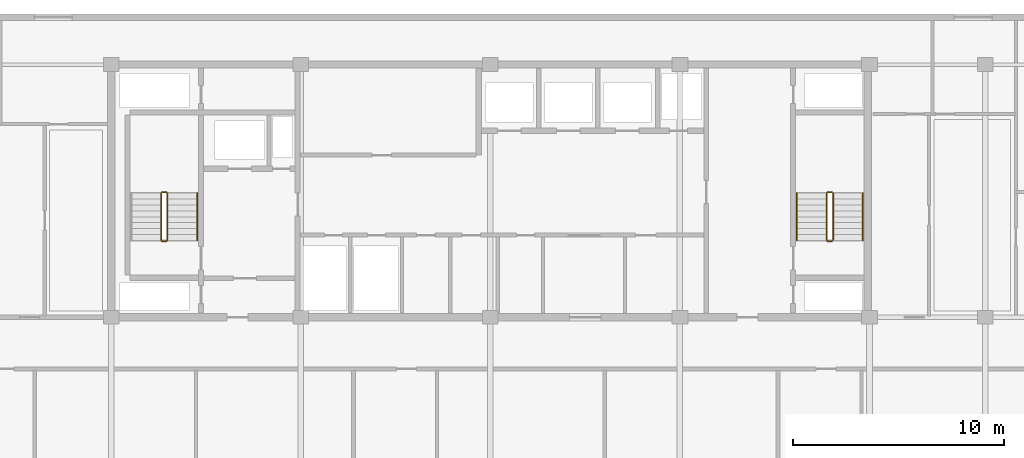
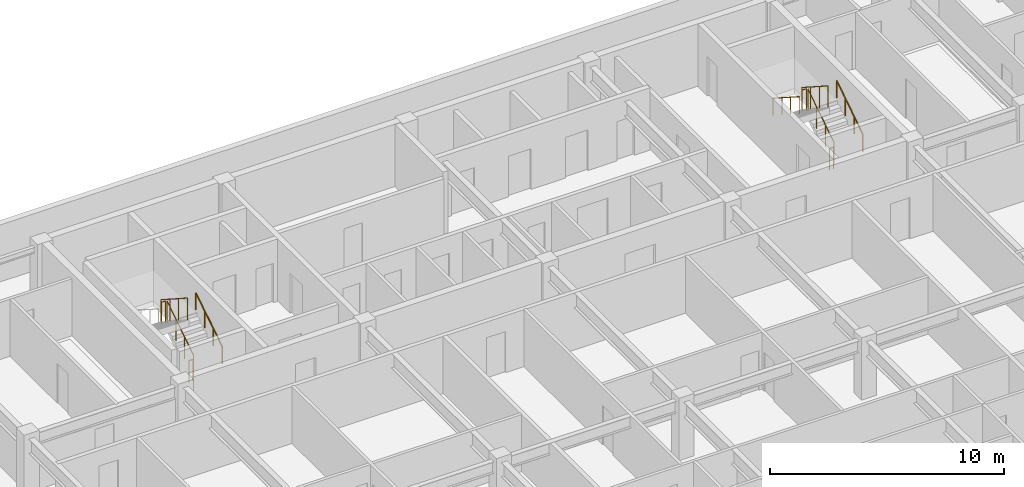
# One storey, part 20 of 24: 11 railings.
"""IFC4 building model written with IfcOpenShell, lengths in metres."""

from ifc_helpers import new_model, si_unit, direction, frame, origin, origin_2d, place, context, subcontext, project, spatial, circle, extrude, material, type_object, element, save


model = new_model("IFC4")

# Units and contexts
model_context = context("Model", 3, precision=1e-05, world=origin(), true_north=direction((0.0, 1.0)))
body_context = subcontext(model_context, "Body", "Model", "MODEL_VIEW")
ifc_project = project(units=[si_unit("LENGTHUNIT", "METRE"), si_unit("AREAUNIT", "SQUARE_METRE"), si_unit("VOLUMEUNIT", "CUBIC_METRE"), si_unit("PLANEANGLEUNIT", "RADIAN"), si_unit("MASSUNIT", "GRAM", prefix="KILO")], contexts=[model_context])

# Site, building, storey
site_placement = place(None, origin())
site = spatial("IfcSite", under=ifc_project, at=site_placement, CompositionType="ELEMENT")
building_placement = place(site_placement, origin())
building = spatial("IfcBuilding", under=site, at=building_placement, Name="Korimba Cascade Residences", CompositionType="ELEMENT")
storey_placement = place(building_placement, frame((0.0, 0.0, 168.60009765625)))
storey = spatial("IfcBuildingStorey", under=building, at=storey_placement, Name="L48", CompositionType="ELEMENT", Elevation=168.60009765625)

# Railings
ifc_material_1 = material(Name="Painted Steel Stairwell Guardrail", Category="steel")
railing_type_1 = type_object("IfcRailingType", Name="RLG-ST-GD1150", PredefinedType="GUARDRAIL", material=ifc_material_1)
railing_1_placement = place(storey_placement, frame((84.77001953125, 22.050048828125, 0.180419921875)))
element("IfcRailing", 1, at=railing_1_placement, inside=storey, type_object=railing_type_1, Name="L48 ST-E1 stair guard 1", PredefinedType="GUARDRAIL", context=body_context, shape_type="SweptSolid", body=[
    extrude(circle(Radius=0.02392578125, at=origin_2d()), frame((0.0, 0.0, 1.1259765625), z_axis=(0.0, 0.840394893359, 0.541974559565), x_axis=(-1.0, 0.0, 0.0)), (0.0, 0.0, 1.0), 2.665283203125),
    extrude(circle(Radius=0.02099609375, at=origin_2d()), origin(), (0.0, 0.0, 1.0), 1.101806640625),
    extrude(circle(Radius=0.02099609375, at=origin_2d()), frame((0.0, 0.74658203125, 0.4814453125)), (0.0, 0.0, 1.0), 1.101806640625),
    extrude(circle(Radius=0.02099609375, at=origin_2d()), frame((0.0, 1.493408203125, 0.963134765625)), (0.0, 0.0, 1.0), 1.101806640625),
    extrude(circle(Radius=0.02099609375, at=origin_2d()), frame((0.0, 2.239990234375, 1.444580078125)), (0.0, 0.0, 1.0), 1.101806640625),
])
railing_2_placement = place(storey_placement, frame((84.719970703125, 24.340087890625, 1.625)))
element("IfcRailing", 2, at=railing_2_placement, inside=storey, type_object=railing_type_1, Name="L48 ST-E1 stair guard 2", PredefinedType="GUARDRAIL", context=body_context, shape_type="SweptSolid", body=[
    extrude(circle(Radius=0.02392578125, at=origin_2d()), frame((0.0, 0.0, 1.1259765625), z_axis=(-1.0, 0.0, 0.0), x_axis=(0.0, -1.0, 0.0)), (0.0, 0.0, 1.0), 0.199951171875),
    extrude(circle(Radius=0.02099609375, at=origin_2d()), origin(), (0.0, 0.0, 1.0), 1.101806640625),
    extrude(circle(Radius=0.02099609375, at=origin_2d()), frame((-0.199951171875, 0.0, 0.0)), (0.0, 0.0, 1.0), 1.101806640625),
])
railing_3_placement = place(storey_placement, frame((84.469970703125, 24.2900390625, 1.805419921875)))
element("IfcRailing", 3, at=railing_3_placement, inside=storey, type_object=railing_type_1, Name="L48 ST-E1 stair guard 3", PredefinedType="GUARDRAIL", context=body_context, shape_type="SweptSolid", body=[
    extrude(circle(Radius=0.02392578125, at=origin_2d()), frame((0.0, 0.0, 1.1259765625), z_axis=(0.0, -0.840394893359, 0.541974559565), x_axis=(1.0, 0.0, 0.0)), (0.0, 0.0, 1.0), 2.665283203125),
    extrude(circle(Radius=0.02099609375, at=origin_2d()), origin(), (0.0, 0.0, 1.0), 1.101806640625),
    extrude(circle(Radius=0.02099609375, at=origin_2d()), frame((0.0, -0.74658203125, 0.4814453125)), (0.0, 0.0, 1.0), 1.101806640625),
    extrude(circle(Radius=0.02099609375, at=origin_2d()), frame((0.0, -1.493408203125, 0.963134765625)), (0.0, 0.0, 1.0), 1.101806640625),
    extrude(circle(Radius=0.02099609375, at=origin_2d()), frame((0.0, -2.239990234375, 1.444580078125)), (0.0, 0.0, 1.0), 1.101806640625),
])
railing_4_placement = place(storey_placement, frame((84.719970703125, 22.0, 0.0)))
element("IfcRailing", 4, at=railing_4_placement, inside=storey, type_object=railing_type_1, Name="L48 ST-E1 stair guard 4", PredefinedType="GUARDRAIL", context=body_context, shape_type="SweptSolid", body=[
    extrude(circle(Radius=0.02392578125, at=origin_2d()), frame((0.0, 0.0, 1.1259765625), z_axis=(-1.0, 0.0, 0.0), x_axis=(0.0, -1.0, 0.0)), (0.0, 0.0, 1.0), 0.199951171875),
    extrude(circle(Radius=0.02099609375, at=origin_2d()), origin(), (0.0, 0.0, 1.0), 1.101806640625),
    extrude(circle(Radius=0.02099609375, at=origin_2d()), frame((-0.199951171875, 0.0, 0.0)), (0.0, 0.0, 1.0), 1.101806640625),
])
railing_5_placement = place(storey_placement, frame((116.3701171875, 22.050048828125, 0.180419921875)))
element("IfcRailing", 5, at=railing_5_placement, inside=storey, type_object=railing_type_1, Name="L48 ST-E2 stair guard 1", PredefinedType="GUARDRAIL", context=body_context, shape_type="SweptSolid", body=[
    extrude(circle(Radius=0.02392578125, at=origin_2d()), frame((0.0, 0.0, 1.1259765625), z_axis=(0.0, 0.840394893359, 0.541974559565), x_axis=(-1.0, 0.0, 0.0)), (0.0, 0.0, 1.0), 2.665283203125),
    extrude(circle(Radius=0.02099609375, at=origin_2d()), origin(), (0.0, 0.0, 1.0), 1.101806640625),
    extrude(circle(Radius=0.02099609375, at=origin_2d()), frame((0.0, 0.74658203125, 0.4814453125)), (0.0, 0.0, 1.0), 1.101806640625),
    extrude(circle(Radius=0.02099609375, at=origin_2d()), frame((0.0, 1.493408203125, 0.963134765625)), (0.0, 0.0, 1.0), 1.101806640625),
    extrude(circle(Radius=0.02099609375, at=origin_2d()), frame((0.0, 2.239990234375, 1.444580078125)), (0.0, 0.0, 1.0), 1.101806640625),
])
railing_6_placement = place(storey_placement, frame((116.320068359375, 24.340087890625, 1.625)))
element("IfcRailing", 6, at=railing_6_placement, inside=storey, type_object=railing_type_1, Name="L48 ST-E2 stair guard 2", PredefinedType="GUARDRAIL", context=body_context, shape_type="SweptSolid", body=[
    extrude(circle(Radius=0.02392578125, at=origin_2d()), frame((0.0, 0.0, 1.1259765625), z_axis=(-1.0, 0.0, 0.0), x_axis=(0.0, -1.0, 0.0)), (0.0, 0.0, 1.0), 0.199951171875),
    extrude(circle(Radius=0.02099609375, at=origin_2d()), origin(), (0.0, 0.0, 1.0), 1.101806640625),
    extrude(circle(Radius=0.02099609375, at=origin_2d()), frame((-0.199951171875, 0.0, 0.0)), (0.0, 0.0, 1.0), 1.101806640625),
])
railing_7_placement = place(storey_placement, frame((116.070068359375, 24.2900390625, 1.805419921875)))
element("IfcRailing", 7, at=railing_7_placement, inside=storey, type_object=railing_type_1, Name="L48 ST-E2 stair guard 3", PredefinedType="GUARDRAIL", context=body_context, shape_type="SweptSolid", body=[
    extrude(circle(Radius=0.02392578125, at=origin_2d()), frame((0.0, 0.0, 1.1259765625), z_axis=(0.0, -0.840394893359, 0.541974559565), x_axis=(1.0, 0.0, 0.0)), (0.0, 0.0, 1.0), 2.665283203125),
    extrude(circle(Radius=0.02099609375, at=origin_2d()), origin(), (0.0, 0.0, 1.0), 1.101806640625),
    extrude(circle(Radius=0.02099609375, at=origin_2d()), frame((0.0, -0.74658203125, 0.4814453125)), (0.0, 0.0, 1.0), 1.101806640625),
    extrude(circle(Radius=0.02099609375, at=origin_2d()), frame((0.0, -1.493408203125, 0.963134765625)), (0.0, 0.0, 1.0), 1.101806640625),
    extrude(circle(Radius=0.02099609375, at=origin_2d()), frame((0.0, -2.239990234375, 1.444580078125)), (0.0, 0.0, 1.0), 1.101806640625),
])
railing_8_placement = place(storey_placement, frame((116.320068359375, 22.0, 0.0)))
element("IfcRailing", 8, at=railing_8_placement, inside=storey, type_object=railing_type_1, Name="L48 ST-E2 stair guard 4", PredefinedType="GUARDRAIL", context=body_context, shape_type="SweptSolid", body=[
    extrude(circle(Radius=0.02392578125, at=origin_2d()), frame((0.0, 0.0, 1.1259765625), z_axis=(-1.0, 0.0, 0.0), x_axis=(0.0, -1.0, 0.0)), (0.0, 0.0, 1.0), 0.199951171875),
    extrude(circle(Radius=0.02099609375, at=origin_2d()), origin(), (0.0, 0.0, 1.0), 1.101806640625),
    extrude(circle(Radius=0.02099609375, at=origin_2d()), frame((-0.199951171875, 0.0, 0.0)), (0.0, 0.0, 1.0), 1.101806640625),
])
ifc_material_2 = material(Name="Brushed Stainless Steel Handrail", Category="steel")
railing_type_2 = type_object("IfcRailingType", Name="RLG-ST-HR900", PredefinedType="HANDRAIL", material=ifc_material_2)
for number, where, name in (
    (9, (86.18994140625, 22.050048828125, 0.36474609375), "L48 ST-E1 stair handrail 1"),
    (10, (117.7900390625, 22.050048828125, 0.36474609375), "L48 ST-E2 stair handrail 1"),
):
    element("IfcRailing", number, at=place(storey_placement, frame(where)), inside=storey, type_object=railing_type_2, Name=name, PredefinedType="HANDRAIL", context=body_context, shape_type="SweptSolid", body=[
        extrude(circle(Radius=0.02392578125, at=origin_2d()), frame((0.0, 0.0, 0.8759765625), z_axis=(0.0, 0.840394893359, 0.541974559565), x_axis=(-1.0, 0.0, 0.0)), (0.0, 0.0, 1.0), 2.665283203125),
        extrude(circle(Radius=0.02099609375, at=origin_2d()), origin(), (0.0, 0.0, 1.0), 0.851806640625),
        extrude(circle(Radius=0.02099609375, at=origin_2d()), frame((0.0, 0.74658203125, 0.4814453125)), (0.0, 0.0, 1.0), 0.851806640625),
        extrude(circle(Radius=0.02099609375, at=origin_2d()), frame((0.0, 1.493408203125, 0.963134765625)), (0.0, 0.0, 1.0), 0.851806640625),
        extrude(circle(Radius=0.02099609375, at=origin_2d()), frame((0.0, 2.239990234375, 1.444580078125)), (0.0, 0.0, 1.0), 0.851806640625),
    ])
railing_9_placement = place(storey_placement, frame((114.64990234375, 24.2900390625, 1.98974609375)))
element("IfcRailing", 11, at=railing_9_placement, inside=storey, type_object=railing_type_2, Name="L48 ST-E2 stair handrail 2", PredefinedType="HANDRAIL", context=body_context, shape_type="SweptSolid", body=[
    extrude(circle(Radius=0.02392578125, at=origin_2d()), frame((0.0, 0.0, 0.8759765625), z_axis=(0.0, -0.840394893359, 0.541974559565), x_axis=(1.0, 0.0, 0.0)), (0.0, 0.0, 1.0), 2.665283203125),
    extrude(circle(Radius=0.02099609375, at=origin_2d()), origin(), (0.0, 0.0, 1.0), 0.851806640625),
    extrude(circle(Radius=0.02099609375, at=origin_2d()), frame((0.0, -0.74658203125, 0.4814453125)), (0.0, 0.0, 1.0), 0.851806640625),
    extrude(circle(Radius=0.02099609375, at=origin_2d()), frame((0.0, -1.493408203125, 0.963134765625)), (0.0, 0.0, 1.0), 0.851806640625),
    extrude(circle(Radius=0.02099609375, at=origin_2d()), frame((0.0, -2.239990234375, 1.444580078125)), (0.0, 0.0, 1.0), 0.851806640625),
])

save(model, "model.ifc")
